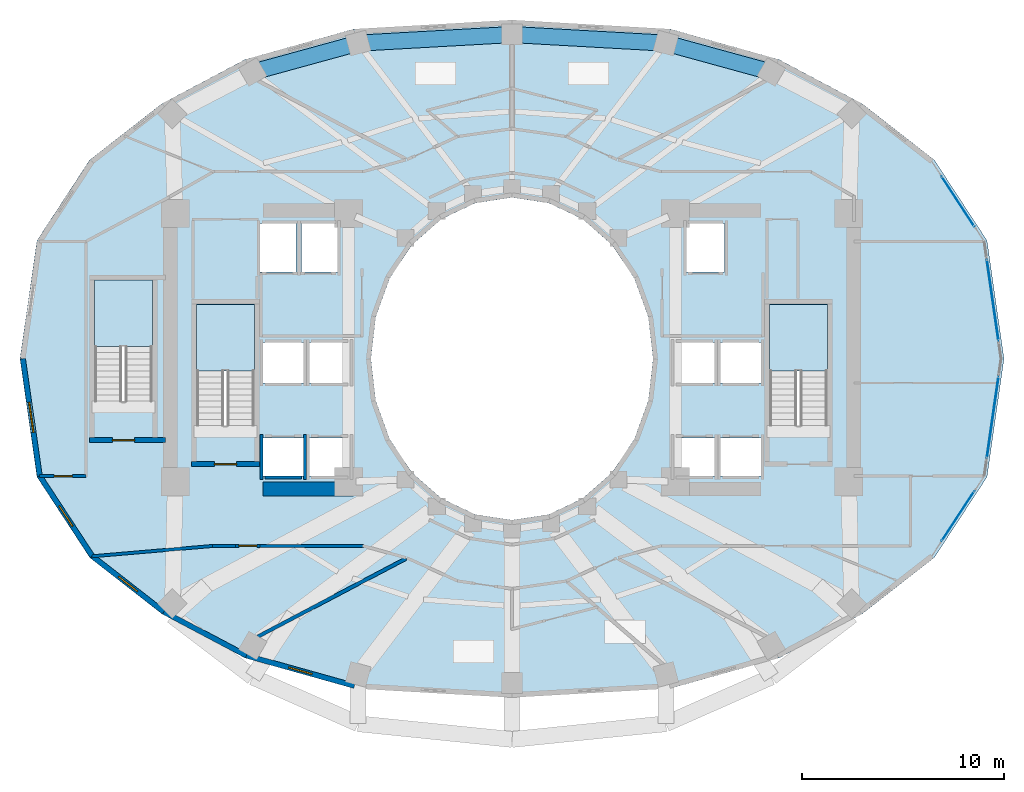
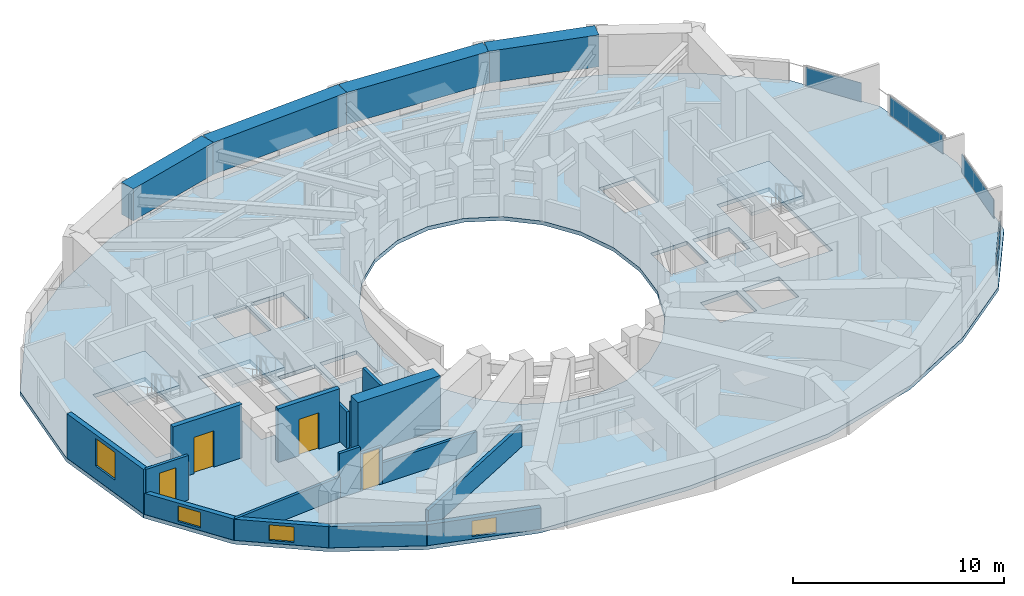
# One storey, part 6 of 14: 17 walls, 4 beams, 4 doors, 4 plates, 4 slabs, 4 windows, 8 openings, 7 elements without a shape of their own.
"""IFC4 building model written with IfcOpenShell, lengths in metres."""

from ifc_helpers import new_model, si_unit, direction, frame, frame_2d, origin, origin_2d, place, context, subcontext, project, spatial, polyline, rectangle, outline, extrude, material, layer, layer_set, material_profile, profile_set, type_object, element, fill, aggregate, save


model = new_model("IFC4")

# Units and contexts
model_context = context("Model", 3, precision=1e-05, world=origin(), true_north=direction((0.0, 1.0)))
body_context = subcontext(model_context, "Body", "Model", "MODEL_VIEW")
ifc_project = project(units=[si_unit("LENGTHUNIT", "METRE"), si_unit("AREAUNIT", "SQUARE_METRE"), si_unit("VOLUMEUNIT", "CUBIC_METRE"), si_unit("PLANEANGLEUNIT", "RADIAN"), si_unit("MASSUNIT", "GRAM", prefix="KILO")], contexts=[model_context])

# Site, building, storey
site_placement = place(None, origin())
site = spatial("IfcSite", under=ifc_project, at=site_placement, CompositionType="ELEMENT")
building_placement = place(site_placement, origin())
building = spatial("IfcBuilding", under=site, at=building_placement, Name="Solvane Sanctuary Tower", CompositionType="ELEMENT")
storey_placement = place(building_placement, frame((0.0, 0.0, 91.800048828125)))
storey = spatial("IfcBuildingStorey", under=building, at=storey_placement, Name="L27", CompositionType="ELEMENT", Elevation=91.800048828125)

# Beams
ifc_material_1 = material(Name="Concrete C70/85", Category="concrete")
ifc_material_profile = material_profile(ifc_material_1, rectangle(XDim=0.800048828125, YDim=1.85009765625, at=origin_2d()), Name="RC800X1850")
ifc_profile_set = profile_set([ifc_material_profile], Name="Concrete C70/85")
beam_type = type_object("IfcBeamType", Name="Beam B-XFER-BLK RC800X1850", PredefinedType="BEAM", material=ifc_profile_set)
beam_1_placement = place(storey_placement, frame((19.1416015625, 37.217529296875, 2.175048828125), z_axis=(0.964365802426, 0.264572483661, 0.0), x_axis=(-0.264572483661, 0.964365802426, 0.0)))
element("IfcBeam", 1, at=beam_1_placement, inside=storey, type_object=beam_type, Name="L27 Perimeter Step Transfer Ring NTC06-NTC05", PredefinedType="BEAM", context=body_context, shape_type="SweptSolid", body=[
    extrude(rectangle(XDim=0.800048828125, YDim=1.85009765625, at=origin_2d()), origin(), (0.0, 0.0, 1.0), 5.422119140625),
])
for number, where, z_axis, x_axis, name in (
    (2, (24.37060546875, 38.652099609375, 2.175048828125), (0.998430322971, 0.056007947397, 0.0), (-0.056007947397, 0.998430322971, 0.0), "L27 Perimeter Step Transfer Ring NTC05-NTC04"),
    (3, (32.0, 39.080078125, 2.175048828125), (0.998430322971, -0.056007947397, 0.0), (0.056007947397, 0.998430322971, 0.0), "L27 Perimeter Step Transfer Ring NTC04-NTC03"),
):
    element("IfcBeam", number, at=place(storey_placement, frame(where, z_axis=z_axis, x_axis=x_axis)), inside=storey, type_object=beam_type, Name=name, PredefinedType="BEAM", context=body_context, shape_type="SweptSolid", body=[
        extrude(rectangle(XDim=0.800048828125, YDim=1.85009765625, at=origin_2d()), origin(), (0.0, 0.0, 1.0), 7.641357421875),
    ])
beam_2_placement = place(storey_placement, frame((39.62939453125, 38.652099609375, 2.175048828125), z_axis=(0.964365802426, -0.264572483661, 0.0), x_axis=(0.264572483661, 0.964365802426, 0.0)))
element("IfcBeam", 4, at=beam_2_placement, inside=storey, type_object=beam_type, Name="L27 Perimeter Step Transfer Ring NTC03-NTC02", PredefinedType="BEAM", context=body_context, shape_type="SweptSolid", body=[
    extrude(rectangle(XDim=0.800048828125, YDim=1.85009765625, at=origin_2d()), origin(), (0.0, 0.0, 1.0), 5.422119140625),
])

# Curtain wall, plate
ifc_material_2 = material(Name="Anodised Aluminium 6063-T6", Category="aluminium")
ifc_layer_1 = layer(ifc_material_2, 0.2099609375, Name="Anodised Aluminium 6063-T6")
ifc_layer_set_1 = layer_set([ifc_layer_1], Name="Anodised Aluminium 6063-T6")
curtain_wall_type = type_object("IfcCurtainWallType", Name="Curtain Wall CW-PORTAL", PredefinedType="NOTDEFINED", material=ifc_layer_set_1)
curtain_wall_1_placement = place(storey_placement, origin())
curtain_wall_1 = element("IfcCurtainWall", 5, at=curtain_wall_1_placement, inside=storey, type_object=curtain_wall_type, Name="L27 CW-PORTAL Facade Run 00", PredefinedType="NOTDEFINED")
ifc_material_3 = material(Name="Dark Ceramic-Fritted Low-E Glass", Category="glass")
ifc_layer_2 = layer(ifc_material_3, 0.031982421875, Name="Dark Ceramic-Fritted Low-E Glass")
ifc_layer_set_2 = layer_set([ifc_layer_2], Name="Dark Ceramic-Fritted Low-E Glass")
plate_type = type_object("IfcPlateType", Name="Plate PN-FRIT-VIS", PredefinedType="CURTAIN_PANEL", material=ifc_layer_set_2)
plate_1_placement = place(storey_placement, frame((55.8408203125, 25.909423828125, 0.06494140625), z_axis=(0.0, 0.0, 1.0), x_axis=(-0.142587151113, 0.989782250971, 0.0)))
plate_1 = element("IfcPlate", 6, at=plate_1_placement, type_object=plate_type, Name="CW-PORTAL panel 1.1", PredefinedType="CURTAIN_PANEL", context=body_context, shape_type="SweptSolid", body=[
    extrude(rectangle(XDim=4.0888671875, YDim=0.031982421875, at=origin_2d()), origin(), (0.0, 0.0, 1.0), 1.090087890625),
])
aggregate(curtain_wall_1, [plate_1])

curtain_wall_2_placement = place(storey_placement, origin())
curtain_wall_2 = element("IfcCurtainWall", 7, at=curtain_wall_2_placement, inside=storey, type_object=curtain_wall_type, Name="L27 CW-PORTAL Facade Run 01", PredefinedType="NOTDEFINED")
plate_2_placement = place(storey_placement, frame((54.12109375, 30.802490234375, 0.06494140625), z_axis=(0.0, 0.0, 1.0), x_axis=(-0.548275714249, 0.8362976391, 0.0)))
plate_2 = element("IfcPlate", 8, at=plate_2_placement, type_object=plate_type, Name="CW-PORTAL panel 1.1", PredefinedType="CURTAIN_PANEL", context=body_context, shape_type="SweptSolid", body=[
    extrude(rectangle(XDim=2.954345703125, YDim=0.031982421875, at=origin_2d()), origin(), (0.0, 0.0, 1.0), 1.090087890625),
])
aggregate(curtain_wall_2, [plate_2])

curtain_wall_3_placement = place(storey_placement, origin())
curtain_wall_3 = element("IfcCurtainWall", 9, at=curtain_wall_3_placement, inside=storey, type_object=curtain_wall_type, Name="L27 CW-PORTAL Facade Run 22", PredefinedType="NOTDEFINED")
plate_3_placement = place(storey_placement, frame((54.12109375, 15.197509765625, 0.06494140625), z_axis=(0.0, 0.0, 1.0), x_axis=(0.548275714249, 0.8362976391, 0.0)))
plate_3 = element("IfcPlate", 10, at=plate_3_placement, type_object=plate_type, Name="CW-PORTAL panel 1.1", PredefinedType="CURTAIN_PANEL", context=body_context, shape_type="SweptSolid", body=[
    extrude(rectangle(XDim=2.954345703125, YDim=0.031982421875, at=origin_2d()), origin(), (0.0, 0.0, 1.0), 1.090087890625),
])
aggregate(curtain_wall_3, [plate_3])

curtain_wall_4_placement = place(storey_placement, origin())
curtain_wall_4 = element("IfcCurtainWall", 11, at=curtain_wall_4_placement, inside=storey, type_object=curtain_wall_type, Name="L27 CW-PORTAL Facade Run 23", PredefinedType="NOTDEFINED")
plate_4_placement = place(storey_placement, frame((55.8408203125, 20.090576171875, 0.06494140625), z_axis=(0.0, 0.0, 1.0), x_axis=(0.142587151113, 0.989782250971, 0.0)))
plate_4 = element("IfcPlate", 12, at=plate_4_placement, type_object=plate_type, Name="CW-PORTAL panel 1.1", PredefinedType="CURTAIN_PANEL", context=body_context, shape_type="SweptSolid", body=[
    extrude(rectangle(XDim=4.0888671875, YDim=0.031982421875, at=origin_2d()), origin(), (0.0, 0.0, 1.0), 1.090087890625),
])
aggregate(curtain_wall_4, [plate_4])

# Stair, slab
ifc_material_4 = material(Name="Concrete C45/55", Category="concrete")
stair_type = type_object("IfcStairType", Name="Stair ST-TOW", PredefinedType="HALF_TURN_STAIR", material=ifc_material_4)
stair_1_placement = place(storey_placement, origin())
stair_1 = element("IfcStair", 13, at=stair_1_placement, inside=storey, type_object=stair_type, Name="L27 Exit Stair ST-1 West Core", PredefinedType="HALF_TURN_STAIR")
ifc_layer_3 = layer(ifc_material_4, 0.199951171875, Name="Concrete C45/55")
ifc_layer_set_3 = layer_set([ifc_layer_3], Name="Concrete C45/55")
slab_type_1 = type_object("IfcSlabType", Name="Slab SL-LAND-180", PredefinedType="LANDING", material=ifc_layer_set_3)
slab_1_placement = place(storey_placement, frame((0.0, 0.0, 1.349853515625)))
slab_1 = element("IfcSlab", 14, at=slab_1_placement, type_object=slab_type_1, Name="ST-1 landing 1", PredefinedType="LANDING", context=body_context, shape_type="SweptSolid", body=[
    extrude(outline(polyline([(19.219970703125, 22.39990234375), (19.219970703125, 25.699951171875), (16.360107421875, 25.699951171875), (16.360107421875, 22.39990234375), (19.219970703125, 22.39990234375)])), origin(), (0.0, 0.0, 1.0), 0.2001953125),
])
aggregate(stair_1, [slab_1])

stair_2_placement = place(storey_placement, origin())
stair_2 = element("IfcStair", 15, at=stair_2_placement, inside=storey, type_object=stair_type, Name="L27 Exit Stair ST-2 East Core", PredefinedType="HALF_TURN_STAIR")
slab_2_placement = place(storey_placement, frame((0.0, 0.0, 1.349853515625)))
slab_2 = element("IfcSlab", 16, at=slab_2_placement, type_object=slab_type_1, Name="ST-2 landing 1", PredefinedType="LANDING", context=body_context, shape_type="SweptSolid", body=[
    extrude(outline(polyline([(47.639892578125, 22.39990234375), (47.639892578125, 25.699951171875), (44.780029296875, 25.699951171875), (44.780029296875, 22.39990234375), (47.639892578125, 22.39990234375)])), origin(), (0.0, 0.0, 1.0), 0.2001953125),
])
aggregate(stair_2, [slab_2])

stair_3_placement = place(storey_placement, origin())
stair_3 = element("IfcStair", 17, at=stair_3_placement, inside=storey, type_object=stair_type, Name="L27 Exit Stair ST-3 Pilgrim Tower Stair", PredefinedType="HALF_TURN_STAIR")
slab_3_placement = place(storey_placement, frame((0.0, 0.0, 1.349853515625)))
slab_3 = element("IfcSlab", 18, at=slab_3_placement, type_object=slab_type_1, Name="ST-3 landing 1", PredefinedType="LANDING", context=body_context, shape_type="SweptSolid", body=[
    extrude(outline(polyline([(14.159912109375, 23.60009765625), (14.159912109375, 26.89990234375), (11.300048828125, 26.89990234375), (11.300048828125, 23.60009765625), (14.159912109375, 23.60009765625)])), origin(), (0.0, 0.0, 1.0), 0.2001953125),
])
aggregate(stair_3, [slab_3])

# Slab
ifc_material_5 = material(Name="Concrete C50/60", Category="concrete")
ifc_layer_4 = layer(ifc_material_5, 0.219970703125, Name="Concrete C50/60")
ifc_layer_set_4 = layer_set([ifc_layer_4], Name="Concrete C50/60")
slab_type_2 = type_object("IfcSlabType", Name="Slab SL-TOW-250", PredefinedType="FLOOR", material=ifc_layer_set_4)
slab_4_placement = place(storey_placement, frame((0.0, 0.0, -0.219970703125)))
element("IfcSlab", 19, at=slab_4_placement, inside=storey, type_object=slab_type_2, Name="L27 Primary Structural Slab", PredefinedType="FLOOR", context=body_context, shape_type="SweptSolid", body=[
    extrude(outline(polyline([(56.39990234375, 23.0), (55.556884765625, 28.86376953125), (52.94091796875, 32.8623046875), (49.365478515625, 35.650390625), (45.249267578125, 37.83544921875), (39.861328125, 39.347412109375), (32.0, 39.800048828125), (24.138671875, 39.347412109375), (18.750732421875, 37.83544921875), (14.634521484375, 35.650390625), (11.05908203125, 32.8623046875), (8.443115234375, 28.86376953125), (7.60009765625, 23.0), (8.443115234375, 17.13623046875), (11.05908203125, 13.1376953125), (14.634521484375, 10.349609375), (18.750732421875, 8.16455078125), (24.138671875, 6.652587890625), (32.0, 6.199951171875), (39.861328125, 6.652587890625), (45.249267578125, 8.16455078125), (49.365478515625, 10.349609375), (52.94091796875, 13.1376953125), (55.556884765625, 17.13623046875), (56.39990234375, 23.0)]), holes=[polyline([(38.761474609375, 20.929443359375), (38.062255859375, 19.0), (36.94970703125, 17.343017578125), (35.5, 16.07177734375), (33.811767578125, 15.272705078125), (32.0, 15.0), (30.188232421875, 15.272705078125), (28.5, 16.07177734375), (27.05029296875, 17.343017578125), (25.937744140625, 19.0), (25.238525390625, 20.929443359375), (25.0, 23.0), (25.238525390625, 25.070556640625), (25.937744140625, 27.0), (27.05029296875, 28.656982421875), (28.5, 29.92822265625), (30.188232421875, 30.727294921875), (32.0, 31.0), (33.811767578125, 30.727294921875), (35.5, 29.92822265625), (36.94970703125, 28.656982421875), (38.062255859375, 27.0), (38.761474609375, 25.070556640625), (39.0, 23.0), (38.761474609375, 20.929443359375)]), polyline([(16.360107421875, 19.699951171875), (16.360107421875, 25.699951171875), (19.219970703125, 25.699951171875), (19.219970703125, 19.699951171875), (16.360107421875, 19.699951171875)]), polyline([(44.780029296875, 19.699951171875), (44.780029296875, 25.699951171875), (47.639892578125, 25.699951171875), (47.639892578125, 19.699951171875), (44.780029296875, 19.699951171875)]), polyline([(11.300048828125, 20.89990234375), (11.300048828125, 26.89990234375), (14.159912109375, 26.89990234375), (14.159912109375, 20.89990234375), (11.300048828125, 20.89990234375)]), polyline([(19.64990234375, 19.080078125), (21.64990234375, 19.080078125), (21.64990234375, 17.179931640625), (19.64990234375, 17.179931640625), (19.64990234375, 19.080078125)]), polyline([(21.949951171875, 19.080078125), (23.949951171875, 19.080078125), (23.949951171875, 17.179931640625), (21.949951171875, 17.179931640625), (21.949951171875, 19.080078125)]), polyline([(40.050048828125, 19.080078125), (42.050048828125, 19.080078125), (42.050048828125, 17.179931640625), (40.050048828125, 17.179931640625), (40.050048828125, 19.080078125)]), polyline([(42.35009765625, 19.080078125), (44.35009765625, 19.080078125), (44.35009765625, 17.179931640625), (42.35009765625, 17.179931640625), (42.35009765625, 19.080078125)]), polyline([(19.64990234375, 23.800048828125), (21.64990234375, 23.800048828125), (21.64990234375, 21.800048828125), (19.64990234375, 21.800048828125), (19.64990234375, 23.800048828125)]), polyline([(42.35009765625, 23.800048828125), (44.35009765625, 23.800048828125), (44.35009765625, 21.800048828125), (42.35009765625, 21.800048828125), (42.35009765625, 23.800048828125)]), polyline([(21.949951171875, 23.800048828125), (23.949951171875, 23.800048828125), (23.949951171875, 21.800048828125), (21.949951171875, 21.800048828125), (21.949951171875, 23.800048828125)]), polyline([(40.050048828125, 23.800048828125), (42.050048828125, 23.800048828125), (42.050048828125, 21.800048828125), (40.050048828125, 21.800048828125), (40.050048828125, 23.800048828125)]), polyline([(19.5, 29.699951171875), (21.300048828125, 29.699951171875), (21.300048828125, 27.300048828125), (19.5, 27.300048828125), (19.5, 29.699951171875)]), polyline([(21.550048828125, 29.699951171875), (23.35009765625, 29.699951171875), (23.35009765625, 27.300048828125), (21.550048828125, 27.300048828125), (21.550048828125, 29.699951171875)]), polyline([(40.64990234375, 29.699951171875), (42.550048828125, 29.699951171875), (42.550048828125, 27.300048828125), (40.64990234375, 27.300048828125), (40.64990234375, 29.699951171875)])]), origin(), (0.0, 0.0, 1.0), 0.219970703125),
])

# Wall
ifc_material_6 = material(Name="Concrete C60/75", Category="concrete")
ifc_layer_5 = layer(ifc_material_6, 0.699951171875, Name="Concrete C60/75")
ifc_layer_set_5 = layer_set([ifc_layer_5], Name="Concrete C60/75")
wall_type_1 = type_object("IfcWallType", Name="Wall W-CORE-700", PredefinedType="SHEAR", material=ifc_layer_set_5)
wall_1_placement = place(storey_placement, frame((19.64990234375, 16.550048828125, 0.0), z_axis=(0.0, 0.0, 1.0), x_axis=(1.0, 0.0, 0.0)))
element("IfcWall", 20, at=wall_1_placement, inside=storey, type_object=wall_type_1, Name="L27 Core Shear Wall WC-S", PredefinedType="SHEAR", context=body_context, shape_type="SweptSolid", body=[
    extrude(rectangle(XDim=4.5, YDim=0.699951171875, at=frame_2d((2.25, 0.0))), origin(), (0.0, 0.0, 1.0), 3.099853515625),
])

# Wall, opening, door
ifc_material_7 = material(Name="Acoustic Gypsum Partition Board")
ifc_layer_6 = layer(ifc_material_7, 0.14990234375, Name="Acoustic Gypsum Partition Board")
ifc_layer_set_6 = layer_set([ifc_layer_6], Name="Acoustic Gypsum Partition Board")
wall_type_2 = type_object("IfcWallType", Name="Wall W-CORR-150", PredefinedType="PARTITIONING", material=ifc_layer_set_6)
wall_2_placement = place(storey_placement, frame((8.558349609375, 17.1748046875, 0.0), z_axis=(0.0, 0.0, 1.0), x_axis=(1.0, 0.0, 0.0)))
wall_2 = element("IfcWall", 21, at=wall_2_placement, inside=storey, type_object=wall_type_2, Name="L27 West Shoulder South Wall", PredefinedType="PARTITIONING", context=body_context, shape_type="SweptSolid", body=[
    extrude(rectangle(XDim=2.321533203125, YDim=0.14990234375, at=frame_2d((1.16064453125, 0.0))), origin(), (0.0, 0.0, 1.0), 2.574951171875),
])
opening_1_placement = place(wall_2_placement, frame((0.739013671875, 0.0, 0.0)))
opening_1 = element("IfcOpeningElement", 22, at=opening_1_placement, cuts=wall_2, Name="Opening D-L27-10", PredefinedType="OPENING", context=body_context, shape_type="SweptSolid", body=[
    extrude(rectangle(XDim=0.89990234375, YDim=2.10009765625, at=frame_2d((0.449951171875, 1.050048828125))), frame((0.0, 0.0849609375, 0.0), z_axis=(0.0, -1.0, 0.0), x_axis=(1.0, 0.0, 0.0)), (0.0, 0.0, 1.0), 0.169921875),
])
ifc_material_8 = material(Name="Engineered Tropical Hardwood", Category="wood")
door_type_1 = type_object("IfcDoorType", Name="Door D-WET-900", OperationType="NOTDEFINED", PredefinedType="DOOR", material=ifc_material_8)
door_1_placement = place(opening_1_placement, origin())
door_1 = element("IfcDoor", 23, at=door_1_placement, inside=storey, type_object=door_type_1, Name="L27 West Shoulder South Door", OperationType="SINGLE_SWING_LEFT", OverallHeight=2.10009765625, OverallWidth=0.89990234375, PredefinedType="DOOR", context=body_context, shape_type="SweptSolid", body=[
    extrude(rectangle(XDim=0.89990234375, YDim=2.10009765625, at=frame_2d((0.449951171875, 1.050048828125))), frame((0.0, 0.02490234375, 0.0), z_axis=(0.0, -1.0, 0.0), x_axis=(1.0, 0.0, 0.0)), (0.0, 0.0, 1.0), 0.050048828125),
])
fill(opening_1, door_1)

# Wall
wall_3_placement = place(storey_placement, frame((17.14990234375, 13.719970703125, 0.0), z_axis=(0.0, 0.0, 1.0), x_axis=(1.0, 0.0, 0.0)))
element("IfcWall", 24, at=wall_3_placement, inside=storey, type_object=wall_type_2, Name="L27 SW Corner Corridor Wall", PredefinedType="PARTITIONING", context=body_context, shape_type="SweptSolid", body=[
    extrude(rectangle(XDim=1.14013671875, YDim=0.14990234375, at=frame_2d((0.570068359375, 0.0))), origin(), (0.0, 0.0, 1.0), 2.574951171875),
])

# Wall, opening, door
wall_4_placement = place(storey_placement, frame((18.2900390625, 13.719970703125, 0.0), z_axis=(0.0, 0.0, 1.0), x_axis=(1.0, 0.0, 0.0)))
wall_4 = element("IfcWall", 25, at=wall_4_placement, inside=storey, type_object=wall_type_2, Name="L27 SW Corner Corridor Wall", PredefinedType="PARTITIONING", context=body_context, shape_type="SweptSolid", body=[
    extrude(rectangle(XDim=1.219970703125, YDim=0.14990234375, at=frame_2d((0.60986328125, 0.0))), origin(), (0.0, 0.0, 1.0), 2.159912109375),
])
opening_2_placement = place(wall_4_placement, frame((0.159912109375, 0.0, 0.0)))
opening_2 = element("IfcOpeningElement", 26, at=opening_2_placement, cuts=wall_4, Name="Opening D-L27-14", PredefinedType="OPENING", context=body_context, shape_type="SweptSolid", body=[
    extrude(rectangle(XDim=0.89990234375, YDim=2.10009765625, at=frame_2d((0.449951171875, 1.050048828125))), frame((0.0, 0.0849609375, 0.0), z_axis=(0.0, -1.0, 0.0), x_axis=(1.0, 0.0, 0.0)), (0.0, 0.0, 1.0), 0.169921875),
])
door_2_placement = place(opening_2_placement, origin())
door_2 = element("IfcDoor", 27, at=door_2_placement, inside=storey, type_object=door_type_1, Name="L27 SW Corner Salon Door", OperationType="SINGLE_SWING_LEFT", OverallHeight=2.10009765625, OverallWidth=0.89990234375, PredefinedType="DOOR", context=body_context, shape_type="SweptSolid", body=[
    extrude(rectangle(XDim=0.89990234375, YDim=2.10009765625, at=frame_2d((0.449951171875, 1.050048828125))), frame((0.0, 0.02490234375, 0.0), z_axis=(0.0, -1.0, 0.0), x_axis=(1.0, 0.0, 0.0)), (0.0, 0.0, 1.0), 0.050048828125),
])
fill(opening_2, door_2)

# Walls
wall_5_placement = place(storey_placement, frame((19.510009765625, 13.719970703125, 0.0), z_axis=(0.0, 0.0, 1.0), x_axis=(1.0, 0.0, 0.0)))
element("IfcWall", 28, at=wall_5_placement, inside=storey, type_object=wall_type_2, Name="L27 SW Corner Corridor Wall", PredefinedType="PARTITIONING", context=body_context, shape_type="SweptSolid", body=[
    extrude(rectangle(XDim=5.159912109375, YDim=0.14990234375, at=frame_2d((2.580078125, 0.0))), origin(), (0.0, 0.0, 1.0), 1.219970703125),
])
wall_6_placement = place(storey_placement, frame((17.249755859375, 13.724365234375, 0.0), z_axis=(0.0, 0.0, 1.0), x_axis=(-0.996341886029, -0.085456691633, 0.0)))
element("IfcWall", 29, at=wall_6_placement, inside=storey, type_object=wall_type_2, Name="L27 SW Corner Wing Wall", PredefinedType="PARTITIONING", context=body_context, shape_type="SweptSolid", body=[
    extrude(rectangle(XDim=6.108154296875, YDim=0.14990234375, at=frame_2d((3.05419921875, 0.0))), origin(), (0.0, 0.0, 1.0), 1.219970703125),
])

# Wall, opening, window
ifc_material_9 = material(Name="Precast concrete C40/50", Category="concrete")
ifc_layer_7 = layer(ifc_material_9, 0.260009765625, Name="Precast concrete C40/50")
ifc_layer_set_7 = layer_set([ifc_layer_7], Name="Precast concrete C40/50")
wall_type_3 = type_object("IfcWallType", Name="Wall W-EXT-250", PredefinedType="STANDARD", material=ifc_layer_set_7)
wall_7_placement = place(storey_placement, frame((7.739990234375, 23.0, 0.0), z_axis=(0.0, 0.0, 1.0), x_axis=(0.142572472068, -0.98978436551, 0.0)))
wall_7 = element("IfcWall", 30, at=wall_7_placement, inside=storey, type_object=wall_type_3, Name="L27 Ceramic-Printed Facade Wall 12", PredefinedType="STANDARD", context=body_context, shape_type="SweptSolid", body=[
    extrude(rectangle(XDim=5.878662109375, YDim=0.260009765625, at=frame_2d((2.939453125, 0.0))), origin(), (0.0, 0.0, 1.0), 2.570068359375),
])
opening_3_placement = place(wall_7_placement, frame((2.189453125, 0.0, 0.75)))
opening_3 = element("IfcOpeningElement", 31, at=opening_3_placement, cuts=wall_7, Name="Opening WN-OPER-1500", PredefinedType="OPENING", context=body_context, shape_type="SweptSolid", body=[
    extrude(rectangle(XDim=1.5, YDim=1.60009765625, at=frame_2d((0.75, 0.800048828125))), frame((0.0, 0.139892578125, 0.0), z_axis=(0.0, -1.0, 0.0), x_axis=(1.0, 0.0, 0.0)), (0.0, 0.0, 1.0), 0.280029296875),
])
window_type_1 = type_object("IfcWindowType", Name="Window WN-OPER-1500", PartitioningType="SINGLE_PANEL", PredefinedType="WINDOW", material=ifc_material_3)
window_1_placement = place(opening_3_placement, origin())
window_1 = element("IfcWindow", 32, at=window_1_placement, inside=storey, type_object=window_type_1, Name="L27 Operable Facade Window 12", OverallHeight=1.60009765625, OverallWidth=1.5, PartitioningType="SINGLE_PANEL", PredefinedType="WINDOW", context=body_context, shape_type="SweptSolid", body=[
    extrude(rectangle(XDim=1.5, YDim=1.60009765625, at=frame_2d((0.75, 0.800048828125))), frame((0.0, 0.030029296875, 0.0), z_axis=(0.0, -1.0, 0.0), x_axis=(1.0, 0.0, 0.0)), (0.0, 0.0, 1.0), 0.06005859375),
])
fill(opening_3, window_1)

wall_8_placement = place(storey_placement, frame((8.578125, 17.181396484375, 0.0), z_axis=(0.0, 0.0, 1.0), x_axis=(0.548283220945, -0.836292717672, 0.0)))
wall_8 = element("IfcWall", 33, at=wall_8_placement, inside=storey, type_object=wall_type_3, Name="L27 Ceramic-Printed Facade Wall 13", PredefinedType="STANDARD", context=body_context, shape_type="SweptSolid", body=[
    extrude(rectangle(XDim=4.744384765625, YDim=0.260009765625, at=frame_2d((2.3720703125, 0.0))), origin(), (0.0, 0.0, 1.0), 1.219970703125),
])
opening_4_placement = place(wall_8_placement, frame((1.772216796875, 0.0, 0.14990234375)))
opening_4 = element("IfcOpeningElement", 34, at=opening_4_placement, cuts=wall_8, Name="Opening WN-OPER-1200", PredefinedType="OPENING", context=body_context, shape_type="SweptSolid", body=[
    extrude(rectangle(XDim=1.199951171875, YDim=0.89990234375, at=frame_2d((0.60009765625, 0.449951171875))), frame((0.0, 0.139892578125, 0.0), z_axis=(0.0, -1.0, 0.0), x_axis=(1.0, 0.0, 0.0)), (0.0, 0.0, 1.0), 0.280029296875),
])
window_type_2 = type_object("IfcWindowType", Name="Window WN-OPER-1200", PartitioningType="SINGLE_PANEL", PredefinedType="WINDOW", material=ifc_material_3)
window_2_placement = place(opening_4_placement, origin())
window_2 = element("IfcWindow", 35, at=window_2_placement, inside=storey, type_object=window_type_2, Name="L27 Operable Facade Window 13", OverallHeight=0.89990234375, OverallWidth=1.199951171875, PartitioningType="SINGLE_PANEL", PredefinedType="WINDOW", context=body_context, shape_type="SweptSolid", body=[
    extrude(rectangle(XDim=1.199951171875, YDim=0.89990234375, at=frame_2d((0.60009765625, 0.449951171875))), frame((0.0, 0.030029296875, 0.0), z_axis=(0.0, -1.0, 0.0), x_axis=(1.0, 0.0, 0.0)), (0.0, 0.0, 1.0), 0.06005859375),
])
fill(opening_4, window_2)

wall_9_placement = place(storey_placement, frame((11.179443359375, 13.213623046875, 0.0), z_axis=(0.0, 0.0, 1.0), x_axis=(0.789127449954, -0.614229491094, 0.0)))
wall_9 = element("IfcWall", 36, at=wall_9_placement, inside=storey, type_object=wall_type_3, Name="L27 Ceramic-Printed Facade Wall 14", PredefinedType="STANDARD", context=body_context, shape_type="SweptSolid", body=[
    extrude(rectangle(XDim=4.504638671875, YDim=0.260009765625, at=frame_2d((2.25244140625, 0.0))), origin(), (0.0, 0.0, 1.0), 1.219970703125),
])
opening_5_placement = place(wall_9_placement, frame((1.65234375, 0.0, 0.14990234375)))
opening_5 = element("IfcOpeningElement", 37, at=opening_5_placement, cuts=wall_9, Name="Opening WN-OPER-1200", PredefinedType="OPENING", context=body_context, shape_type="SweptSolid", body=[
    extrude(rectangle(XDim=1.199951171875, YDim=0.89990234375, at=frame_2d((0.60009765625, 0.449951171875))), frame((0.0, 0.139892578125, 0.0), z_axis=(0.0, -1.0, 0.0), x_axis=(1.0, 0.0, 0.0)), (0.0, 0.0, 1.0), 0.280029296875),
])
window_3_placement = place(opening_5_placement, origin())
window_3 = element("IfcWindow", 38, at=window_3_placement, inside=storey, type_object=window_type_2, Name="L27 Operable Facade Window 14", OverallHeight=0.89990234375, OverallWidth=1.199951171875, PartitioningType="SINGLE_PANEL", PredefinedType="WINDOW", context=body_context, shape_type="SweptSolid", body=[
    extrude(rectangle(XDim=1.199951171875, YDim=0.89990234375, at=frame_2d((0.60009765625, 0.449951171875))), frame((0.0, 0.030029296875, 0.0), z_axis=(0.0, -1.0, 0.0), x_axis=(1.0, 0.0, 0.0)), (0.0, 0.0, 1.0), 0.06005859375),
])
fill(opening_5, window_3)

# Wall
wall_10_placement = place(storey_placement, frame((14.734130859375, 10.44677734375, 0.0), z_axis=(0.0, 0.0, 1.0), x_axis=(0.883668636807, -0.4681129568, 0.0)))
element("IfcWall", 39, at=wall_10_placement, inside=storey, type_object=wall_type_3, Name="L27 Ceramic-Printed Facade Wall 15", PredefinedType="STANDARD", context=body_context, shape_type="SweptSolid", body=[
    extrude(rectangle(XDim=4.63134765625, YDim=0.260009765625, at=frame_2d((2.315673828125, 0.0))), origin(), (0.0, 0.0, 1.0), 1.219970703125),
])

# Wall, opening, window
wall_11_placement = place(storey_placement, frame((18.82666015625, 8.27880859375, 0.0), z_axis=(0.0, 0.0, 1.0), x_axis=(0.962938491413, -0.269721081407, 0.0)))
wall_11 = element("IfcWall", 40, at=wall_11_placement, inside=storey, type_object=wall_type_3, Name="L27 Ceramic-Printed Facade Wall 16", PredefinedType="STANDARD", context=body_context, shape_type="SweptSolid", body=[
    extrude(rectangle(XDim=5.563232421875, YDim=0.260009765625, at=frame_2d((2.78173828125, 0.0))), origin(), (0.0, 0.0, 1.0), 1.219970703125),
])
opening_6_placement = place(wall_11_placement, frame((2.181640625, 0.0, 0.14990234375)))
opening_6 = element("IfcOpeningElement", 41, at=opening_6_placement, cuts=wall_11, Name="Opening WN-OPER-1200", PredefinedType="OPENING", context=body_context, shape_type="SweptSolid", body=[
    extrude(rectangle(XDim=1.199951171875, YDim=0.89990234375, at=frame_2d((0.60009765625, 0.449951171875))), frame((0.0, 0.139892578125, 0.0), z_axis=(0.0, -1.0, 0.0), x_axis=(1.0, 0.0, 0.0)), (0.0, 0.0, 1.0), 0.280029296875),
])
window_4_placement = place(opening_6_placement, origin())
window_4 = element("IfcWindow", 42, at=window_4_placement, inside=storey, type_object=window_type_2, Name="L27 Operable Facade Window 16", OverallHeight=0.89990234375, OverallWidth=1.199951171875, PartitioningType="SINGLE_PANEL", PredefinedType="WINDOW", context=body_context, shape_type="SweptSolid", body=[
    extrude(rectangle(XDim=1.199951171875, YDim=0.89990234375, at=frame_2d((0.60009765625, 0.449951171875))), frame((0.0, 0.030029296875, 0.0), z_axis=(0.0, -1.0, 0.0), x_axis=(1.0, 0.0, 0.0)), (0.0, 0.0, 1.0), 0.06005859375),
])
fill(opening_6, window_4)

# Walls
ifc_layer_8 = layer(ifc_material_5, 0.14990234375, Name="Concrete C50/60")
ifc_layer_set_8 = layer_set([ifc_layer_8], Name="Concrete C50/60")
wall_type_4 = type_object("IfcWallType", Name="Wall W-SHAFT-150", PredefinedType="SOLIDWALL", material=ifc_layer_set_8)
wall_12_placement = place(storey_placement, frame((19.739990234375, 17.10009765625, 0.0), z_axis=(0.0, 0.0, 1.0), x_axis=(1.0, 0.0, 0.0)))
element("IfcWall", 43, at=wall_12_placement, inside=storey, type_object=wall_type_4, Name="L27 PL-1 Lift Shaft Wall B", PredefinedType="SOLIDWALL", context=body_context, shape_type="SweptSolid", body=[
    extrude(rectangle(XDim=1.820068359375, YDim=0.14990234375, at=frame_2d((0.91015625, 0.0))), origin(), (0.0, 0.0, 1.0), 2.574951171875),
])
wall_13_placement = place(storey_placement, frame((19.570068359375, 17.02001953125, 0.0), z_axis=(0.0, 0.0, 1.0), x_axis=(0.0, 1.0, 0.0)))
element("IfcWall", 44, at=wall_13_placement, inside=storey, type_object=wall_type_4, Name="L27 PL-1 Lift Shaft Wall S1", PredefinedType="SOLIDWALL", context=body_context, shape_type="SweptSolid", body=[
    extrude(rectangle(XDim=2.219970703125, YDim=0.14990234375, at=frame_2d((1.10986328125, 0.0))), origin(), (0.0, 0.0, 1.0), 2.119873046875),
])
wall_14_placement = place(storey_placement, frame((21.72998046875, 17.02001953125, 0.0), z_axis=(0.0, 0.0, 1.0), x_axis=(0.0, 1.0, 0.0)))
element("IfcWall", 45, at=wall_14_placement, inside=storey, type_object=wall_type_4, Name="L27 PL-1 Lift Shaft Wall S2", PredefinedType="SOLIDWALL", context=body_context, shape_type="SweptSolid", body=[
    extrude(rectangle(XDim=2.219970703125, YDim=0.14990234375, at=frame_2d((1.10986328125, 0.0))), origin(), (0.0, 0.0, 1.0), 2.574951171875),
])

# Wall, opening, door
ifc_layer_9 = layer(ifc_material_5, 0.25, Name="Concrete C50/60")
ifc_layer_set_9 = layer_set([ifc_layer_9], Name="Concrete C50/60")
wall_type_5 = type_object("IfcWallType", Name="Wall W-SHAFT-250", PredefinedType="SOLIDWALL", material=ifc_layer_set_9)
wall_15_placement = place(storey_placement, frame((16.10498046875, 17.77001953125, 0.0), z_axis=(0.0, 0.0, 1.0), x_axis=(1.0, 0.0, 0.0)))
wall_15 = element("IfcWall", 46, at=wall_15_placement, inside=storey, type_object=wall_type_5, Name="L27 ST-1 Load-Bearing Shaft Wall S", PredefinedType="SOLIDWALL", context=body_context, shape_type="SweptSolid", body=[
    extrude(rectangle(XDim=3.3701171875, YDim=0.25, at=frame_2d((1.68505859375, 0.0))), origin(), (0.0, 0.0, 1.0), 3.099853515625),
])
opening_7_placement = place(wall_15_placement, frame((1.135009765625, 0.0, 0.0)))
opening_7 = element("IfcOpeningElement", 47, at=opening_7_placement, cuts=wall_15, Name="Opening D-L27-01", PredefinedType="OPENING", context=body_context, shape_type="SweptSolid", body=[
    extrude(rectangle(XDim=1.10009765625, YDim=2.10009765625, at=frame_2d((0.550048828125, 1.050048828125))), frame((0.0, 0.135009765625, 0.0), z_axis=(0.0, -1.0, 0.0), x_axis=(1.0, 0.0, 0.0)), (0.0, 0.0, 1.0), 0.27001953125),
])
ifc_material_10 = material(Name="Architectural Stainless Steel 316", Category="steel")
door_type_2 = type_object("IfcDoorType", Name="Door D-STAIR", OperationType="NOTDEFINED", PredefinedType="DOOR", material=ifc_material_10)
door_3_placement = place(opening_7_placement, origin())
door_3 = element("IfcDoor", 48, at=door_3_placement, inside=storey, type_object=door_type_2, Name="L27 ST-1 Exit Stair Fire Door", OperationType="SINGLE_SWING_LEFT", OverallHeight=2.10009765625, OverallWidth=1.10009765625, PredefinedType="DOOR", context=body_context, shape_type="SweptSolid", body=[
    extrude(rectangle(XDim=1.10009765625, YDim=2.10009765625, at=frame_2d((0.550048828125, 1.050048828125))), frame((0.0, 0.02490234375, 0.0), z_axis=(0.0, -1.0, 0.0), x_axis=(1.0, 0.0, 0.0)), (0.0, 0.0, 1.0), 0.050048828125),
])
fill(opening_7, door_3)

wall_16_placement = place(storey_placement, frame((11.044921875, 18.969970703125, 0.0), z_axis=(0.0, 0.0, 1.0), x_axis=(1.0, 0.0, 0.0)))
wall_16 = element("IfcWall", 49, at=wall_16_placement, inside=storey, type_object=wall_type_5, Name="L27 ST-3 Load-Bearing Shaft Wall S", PredefinedType="SOLIDWALL", context=body_context, shape_type="SweptSolid", body=[
    extrude(rectangle(XDim=3.781982421875, YDim=0.25, at=frame_2d((1.89111328125, 0.0))), origin(), (0.0, 0.0, 1.0), 3.099853515625),
])
opening_8_placement = place(wall_16_placement, frame((1.135009765625, 0.0, 0.0)))
opening_8 = element("IfcOpeningElement", 50, at=opening_8_placement, cuts=wall_16, Name="Opening D-L27-03", PredefinedType="OPENING", context=body_context, shape_type="SweptSolid", body=[
    extrude(rectangle(XDim=1.10009765625, YDim=2.10009765625, at=frame_2d((0.550048828125, 1.050048828125))), frame((0.0, 0.135009765625, 0.0), z_axis=(0.0, -1.0, 0.0), x_axis=(1.0, 0.0, 0.0)), (0.0, 0.0, 1.0), 0.27001953125),
])
door_4_placement = place(opening_8_placement, origin())
door_4 = element("IfcDoor", 51, at=door_4_placement, inside=storey, type_object=door_type_2, Name="L27 ST-3 Exit Stair Fire Door", OperationType="SINGLE_SWING_LEFT", OverallHeight=2.10009765625, OverallWidth=1.10009765625, PredefinedType="DOOR", context=body_context, shape_type="SweptSolid", body=[
    extrude(rectangle(XDim=1.10009765625, YDim=2.10009765625, at=frame_2d((0.550048828125, 1.050048828125))), frame((0.0, 0.02490234375, 0.0), z_axis=(0.0, -1.0, 0.0), x_axis=(1.0, 0.0, 0.0)), (0.0, 0.0, 1.0), 0.050048828125),
])
fill(opening_8, door_4)

# Wall
ifc_layer_10 = layer(ifc_material_7, 0.179931640625, Name="Acoustic Gypsum Partition Board")
ifc_layer_set_10 = layer_set([ifc_layer_10], Name="Acoustic Gypsum Partition Board")
wall_type_6 = type_object("IfcWallType", Name="Wall W-UNIT-180", PredefinedType="PARTITIONING", material=ifc_layer_set_10)
wall_17_placement = place(storey_placement, frame((26.746337890625, 13.093017578125, 0.0), z_axis=(0.0, 0.0, 1.0), x_axis=(-0.884730147854, -0.466103599512, 0.0)))
element("IfcWall", 52, at=wall_17_placement, inside=storey, type_object=wall_type_6, Name="L27 Radial Compartment Wall 240", PredefinedType="PARTITIONING", context=body_context, shape_type="SweptSolid", body=[
    extrude(rectangle(XDim=8.309814453125, YDim=0.179931640625, at=frame_2d((4.15478515625, 0.0))), origin(), (0.0, 0.0, 1.0), 1.219970703125),
])

save(model, "model.ifc")
